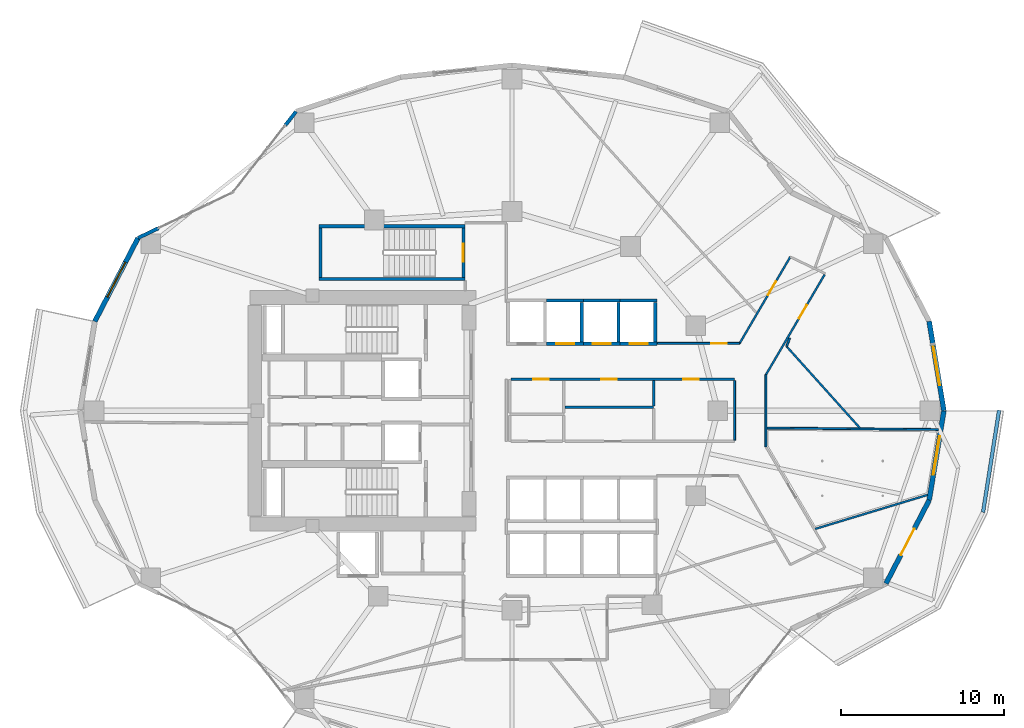
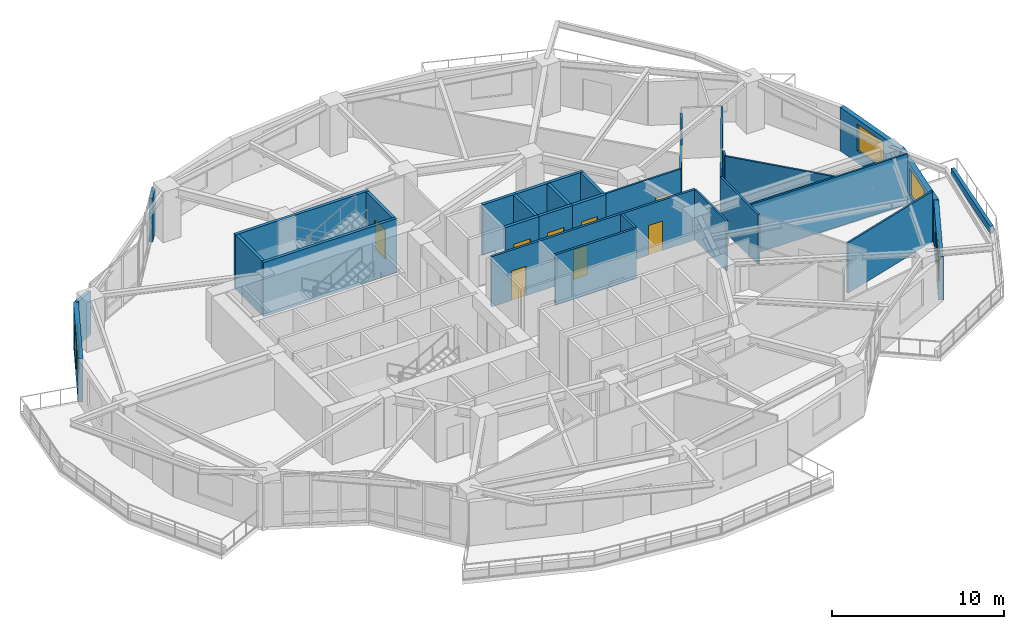
# One storey, part 11 of 18: 32 walls, 11 doors, 3 windows, 14 openings.
"""IFC4 building model written with IfcOpenShell, lengths in metres."""

from ifc_helpers import new_model, si_unit, direction, frame, frame_2d, origin, place, context, subcontext, project, spatial, rectangle, extrude, material, layer, layer_set, type_object, element, fill, save


model = new_model("IFC4")

# Units and contexts
model_context = context("Model", 3, precision=1e-05, world=origin(), true_north=direction((0.0, 1.0)))
body_context = subcontext(model_context, "Body", "Model", "MODEL_VIEW")
ifc_project = project(units=[si_unit("LENGTHUNIT", "METRE"), si_unit("AREAUNIT", "SQUARE_METRE"), si_unit("VOLUMEUNIT", "CUBIC_METRE"), si_unit("PLANEANGLEUNIT", "RADIAN"), si_unit("MASSUNIT", "GRAM", prefix="KILO")], contexts=[model_context])

# Site, building, storey
site_placement = place(None, origin())
site = spatial("IfcSite", under=ifc_project, at=site_placement, CompositionType="ELEMENT")
building_placement = place(site_placement, origin())
building = spatial("IfcBuilding", under=site, at=building_placement, Name="Kolvaren Gate Tower and Convention Centre", CompositionType="ELEMENT")
storey_placement = place(building_placement, frame((0.0, 0.0, 53.449951171875)))
storey = spatial("IfcBuildingStorey", under=building, at=storey_placement, Name="L12", CompositionType="ELEMENT", Elevation=53.449951171875)

# Wall, opening, door
ifc_material_1 = material(Name="Fire-Rated Acoustic Gypsum Stud Partition", Category="gypsum")
ifc_layer_1 = layer(ifc_material_1, 0.1201171875)
ifc_layer_set_1 = layer_set([ifc_layer_1], Name="Fire-Rated Acoustic Gypsum Stud Partition")
wall_type_1 = type_object("IfcWallType", Name="ARCH-WL-PART-120", PredefinedType="PARTITIONING", material=ifc_layer_set_1)
wall_1_placement = place(storey_placement, frame((39.02001953125, 31.1201171875, 0.0), z_axis=(0.0, 0.0, 1.0), x_axis=(1.0, 0.0, 0.0)))
wall_1 = element("IfcWall", 1, at=wall_1_placement, inside=storey, type_object=wall_type_1, Name="Interior Partition WL-L12-INT-031", PredefinedType="PARTITIONING", context=body_context, shape_type="SweptSolid", body=[
    extrude(rectangle(XDim=5.035888671875, YDim=0.1201171875, at=frame_2d((2.51806640625, 0.0))), origin(), (0.0, 0.0, 1.0), 3.570068359375),
])
opening_1_placement = place(wall_1_placement, frame((3.302978515625, 0.0, 0.0)))
opening_1 = element("IfcOpeningElement", 2, at=opening_1_placement, cuts=wall_1, Name="Opening DR-01", PredefinedType="OPENING", context=body_context, shape_type="SweptSolid", body=[
    extrude(rectangle(XDim=0.949951171875, YDim=2.10009765625, at=frame_2d((0.47509765625, 1.050048828125))), frame((0.0, 0.070068359375, 0.0), z_axis=(0.0, -1.0, 0.0), x_axis=(1.0, 0.0, 0.0)), (0.0, 0.0, 1.0), 0.14013671875),
])
ifc_material_2 = material(Name="Painted Architectural Steelwork ASTM A500 Grade C 345 MPa", Category="steel")
door_type_1 = type_object("IfcDoorType", Name="ARCH-DR-RISER-950", OperationType="SINGLE_SWING_RIGHT", PredefinedType="DOOR", material=ifc_material_2)
door_1_placement = place(opening_1_placement, origin())
door_1 = element("IfcDoor", 3, at=door_1_placement, inside=storey, type_object=door_type_1, Name="Design Flagship Showroom Door", OperationType="SINGLE_SWING_RIGHT", OverallHeight=2.10009765625, OverallWidth=0.949951171875, PredefinedType="DOOR", context=body_context, shape_type="SweptSolid", body=[
    extrude(rectangle(XDim=0.949951171875, YDim=2.10009765625, at=frame_2d((0.47509765625, 1.050048828125))), frame((0.0, 0.02490234375, 0.0), z_axis=(0.0, -1.0, 0.0), x_axis=(1.0, 0.0, 0.0)), (0.0, 0.0, 1.0), 0.050048828125),
])
fill(opening_1, door_1)

wall_2_placement = place(storey_placement, frame((44.055908203125, 31.1201171875, 0.0), z_axis=(0.0, 0.0, 1.0), x_axis=(0.505570543943, 0.86278527172, 0.0)))
wall_2 = element("IfcWall", 4, at=wall_2_placement, inside=storey, type_object=wall_type_1, Name="Interior Partition WL-L12-INT-032", PredefinedType="PARTITIONING", context=body_context, shape_type="SweptSolid", body=[
    extrude(rectangle(XDim=6.1416015625, YDim=0.1201171875, at=frame_2d((3.07080078125, 0.0))), origin(), (0.0, 0.0, 1.0), 3.205078125),
])
opening_2_placement = place(wall_2_placement, frame((3.444091796875, 0.0, 0.0)))
opening_2 = element("IfcOpeningElement", 5, at=opening_2_placement, cuts=wall_2, Name="Opening DR-01", PredefinedType="OPENING", context=body_context, shape_type="SweptSolid", body=[
    extrude(rectangle(XDim=0.949951171875, YDim=2.10009765625, at=frame_2d((0.47509765625, 1.050048828125))), frame((0.0, 0.070068359375, 0.0), z_axis=(0.0, -1.0, 0.0), x_axis=(1.0, 0.0, 0.0)), (0.0, 0.0, 1.0), 0.14013671875),
])
door_2_placement = place(opening_2_placement, origin())
door_2 = element("IfcDoor", 6, at=door_2_placement, inside=storey, type_object=door_type_1, Name="Hospitality Tasting Bistro Door", OperationType="SINGLE_SWING_LEFT", OverallHeight=2.10009765625, OverallWidth=0.949951171875, PredefinedType="DOOR", context=body_context, shape_type="SweptSolid", body=[
    extrude(rectangle(XDim=0.949951171875, YDim=2.10009765625, at=frame_2d((0.47509765625, 1.050048828125))), frame((0.0, 0.02490234375, 0.0), z_axis=(0.0, -1.0, 0.0), x_axis=(1.0, 0.0, 0.0)), (0.0, 0.0, 1.0), 0.050048828125),
])
fill(opening_2, door_2)

wall_3_placement = place(storey_placement, frame((45.669921875, 29.20703125, 0.0), z_axis=(0.0, 0.0, 1.0), x_axis=(0.505582857323, 0.86277805627, 0.0)))
wall_3 = element("IfcWall", 7, at=wall_3_placement, inside=storey, type_object=wall_type_1, Name="Interior Partition WL-L12-INT-034", PredefinedType="PARTITIONING", context=body_context, shape_type="SweptSolid", body=[
    extrude(rectangle(XDim=7.107666015625, YDim=0.1201171875, at=frame_2d((3.5537109375, 0.0))), origin(), (0.0, 0.0, 1.0), 3.570068359375),
])
opening_3_placement = place(wall_3_placement, frame((4.00048828125, 0.0, 0.0)))
opening_3 = element("IfcOpeningElement", 8, at=opening_3_placement, cuts=wall_3, Name="Opening DR-01", PredefinedType="OPENING", context=body_context, shape_type="SweptSolid", body=[
    extrude(rectangle(XDim=0.949951171875, YDim=2.10009765625, at=frame_2d((0.47509765625, 1.050048828125))), frame((0.0, 0.070068359375, 0.0), z_axis=(0.0, -1.0, 0.0), x_axis=(1.0, 0.0, 0.0)), (0.0, 0.0, 1.0), 0.14013671875),
])
door_3_placement = place(opening_3_placement, origin())
door_3 = element("IfcDoor", 9, at=door_3_placement, inside=storey, type_object=door_type_1, Name="Design Flagship Showroom Door", OperationType="SINGLE_SWING_RIGHT", OverallHeight=2.10009765625, OverallWidth=0.949951171875, PredefinedType="DOOR", context=body_context, shape_type="SweptSolid", body=[
    extrude(rectangle(XDim=0.949951171875, YDim=2.10009765625, at=frame_2d((0.47509765625, 1.050048828125))), frame((0.0, 0.02490234375, 0.0), z_axis=(0.0, -1.0, 0.0), x_axis=(1.0, 0.0, 0.0)), (0.0, 0.0, 1.0), 0.050048828125),
])
fill(opening_3, door_3)

# Walls
wall_4_placement = place(storey_placement, frame((45.669921875, 24.79296875, 0.0), z_axis=(0.0, 0.0, 1.0), x_axis=(0.0, 1.0, 0.0)))
element("IfcWall", 10, at=wall_4_placement, inside=storey, type_object=wall_type_1, Name="Interior Partition WL-L12-INT-035", PredefinedType="PARTITIONING", context=body_context, shape_type="SweptSolid", body=[
    extrude(rectangle(XDim=4.4140625, YDim=0.1201171875, at=frame_2d((2.20703125, 0.0))), origin(), (0.0, 0.0, 1.0), 3.570068359375),
])
wall_5_placement = place(storey_placement, frame((43.75, 25.197021484375, 0.0), z_axis=(0.0, 0.0, 1.0), x_axis=(0.0, 1.0, 0.0)))
element("IfcWall", 11, at=wall_5_placement, inside=storey, type_object=wall_type_1, Name="Interior Partition WL-L12-INT-041", PredefinedType="PARTITIONING", context=body_context, shape_type="SweptSolid", body=[
    extrude(rectangle(XDim=3.64599609375, YDim=0.1201171875, at=frame_2d((1.822998046875, 0.0))), origin(), (0.0, 0.0, 1.0), 3.570068359375),
])
wall_6_placement = place(storey_placement, frame((45.73193359375, 25.943115234375, 0.0), z_axis=(0.0, 0.0, 1.0), x_axis=(0.999960667943, -0.008869192068, 0.0)))
element("IfcWall", 12, at=wall_6_placement, inside=storey, type_object=wall_type_1, Name="Interior Partition WL-L12-INT-046", PredefinedType="PARTITIONING", context=body_context, shape_type="SweptSolid", body=[
    extrude(rectangle(XDim=10.48779296875, YDim=0.1201171875, at=frame_2d((5.243896484375, 0.0))), origin(), (0.0, 0.0, 1.0), 3.570068359375),
])
wall_7_placement = place(storey_placement, frame((48.68701171875, 19.76708984375, 0.0), z_axis=(0.0, 0.0, 1.0), x_axis=(0.957123563014, 0.28967997018, 0.0)))
element("IfcWall", 13, at=wall_7_placement, inside=storey, type_object=wall_type_1, Name="Interior Partition WL-L12-INT-049", PredefinedType="PARTITIONING", context=body_context, shape_type="SweptSolid", body=[
    extrude(rectangle(XDim=7.181396484375, YDim=0.1201171875, at=frame_2d((3.5908203125, 0.0))), origin(), (0.0, 0.0, 1.0), 3.570068359375),
])
wall_8_placement = place(storey_placement, frame((46.93896484375, 30.93310546875, 0.0), z_axis=(0.0, 0.0, 1.0), x_axis=(0.668545536635, -0.743671207891, 0.0)))
element("IfcWall", 14, at=wall_8_placement, inside=storey, type_object=wall_type_1, Name="Interior Partition WL-L12-INT-054", PredefinedType="PARTITIONING", context=body_context, shape_type="SweptSolid", body=[
    extrude(rectangle(XDim=6.694580078125, YDim=0.1201171875, at=frame_2d((3.34716796875, 0.0))), origin(), (0.0, 0.0, 1.0), 3.570068359375),
])
wall_9_placement = place(storey_placement, frame((46.93896484375, 30.93310546875, 0.0), z_axis=(0.0, 0.0, 1.0), x_axis=(0.338322740583, 0.941030139371, 0.0)))
element("IfcWall", 15, at=wall_9_placement, inside=storey, type_object=wall_type_1, Name="Interior Partition WL-L12-INT-055", PredefinedType="PARTITIONING", context=body_context, shape_type="SweptSolid", body=[
    extrude(rectangle(XDim=0.544921875, YDim=0.1201171875, at=frame_2d((0.2724609375, 0.0))), origin(), (0.0, 0.0, 1.0), 3.570068359375),
])
ifc_material_3 = material(Name="Bogota Sabana Bush-Hammered Sandstone Cladding", Category="masonry")
ifc_layer_2 = layer(ifc_material_3, 0.219970703125)
ifc_layer_set_2 = layer_set([ifc_layer_2], Name="Bogota Sabana Bush-Hammered Sandstone Cladding")
wall_type_2 = type_object("IfcWallType", Name="ARCH-WL-PIER-220", PredefinedType="SOLIDWALL", material=ifc_layer_set_2)
wall_10_placement = place(storey_placement, frame((16.24267578125, 44.46875, 0.0), z_axis=(0.0, 0.0, 1.0), x_axis=(0.616418327775, 0.787418849903, 0.0)))
element("IfcWall", 16, at=wall_10_placement, inside=storey, type_object=wall_type_2, Name="Tower L12 Unitised Curtain Wall CW-OFF-UNIT Bay 08 Right Column Pier Wrap", PredefinedType="SOLIDWALL", context=body_context, shape_type="SweptSolid", body=[
    extrude(rectangle(XDim=1.076416015625, YDim=0.219970703125, at=frame_2d((0.5380859375, 0.0))), origin(), (0.0, 0.0, 1.0), 3.093017578125),
])
wall_11_placement = place(storey_placement, frame((7.2294921875, 37.574951171875, 0.0), z_axis=(0.0, 0.0, 1.0), x_axis=(0.90135196348, 0.433087332914, 0.0)))
element("IfcWall", 17, at=wall_11_placement, inside=storey, type_object=wall_type_2, Name="Tower L12 Unitised Curtain Wall CW-OFF-UNIT Bay 09 Left Column Pier Wrap", PredefinedType="SOLIDWALL", context=body_context, shape_type="SweptSolid", body=[
    extrude(rectangle(XDim=1.381103515625, YDim=0.219970703125, at=frame_2d((0.6904296875, 0.0))), origin(), (0.0, 0.0, 1.0), 3.093017578125),
])
ifc_material_4 = material(Name="Piedmont Cream Honed Limestone Cladding", Category="masonry")
ifc_layer_3 = layer(ifc_material_4, 0.219970703125)
ifc_layer_set_3 = layer_set([ifc_layer_3], Name="Piedmont Cream Honed Limestone Cladding")
wall_type_3 = type_object("IfcWallType", Name="ARCH-WL-PLANTER-220", PredefinedType="PARAPET", material=ifc_layer_set_3)
wall_12_placement = place(storey_placement, frame((58.9619140625, 20.7880859375, 0.0), z_axis=(0.0, 0.0, 1.0), x_axis=(0.15545655238, 0.987842730561, 0.0)))
element("IfcWall", 18, at=wall_12_placement, inside=storey, type_object=wall_type_3, Name="Vertical-Forest Balcony Stone Planter Kerb PK-L12-4.3", PredefinedType="PARAPET", context=body_context, shape_type="SweptSolid", body=[
    extrude(rectangle(XDim=6.318115234375, YDim=0.219970703125, at=frame_2d((3.1591796875, 0.0))), origin(), (0.0, 0.0, 1.0), 0.52001953125),
])
ifc_material_5 = material(Name="Autoclaved Aerated Masonry Blockwork Class 4 (4.0 MPa)", Category="masonry")
ifc_layer_4 = layer(ifc_material_5, 0.199951171875)
ifc_layer_set_4 = layer_set([ifc_layer_4], Name="Autoclaved Aerated Masonry Blockwork Class 4 (4.0 MPa)")
wall_type_4 = type_object("IfcWallType", Name="ARCH-WL-SHAFT-200", PredefinedType="SOLIDWALL", material=ifc_layer_set_4)
wall_13_placement = place(storey_placement, frame((32.25, 33.75, 0.0), z_axis=(0.0, 0.0, 1.0), x_axis=(1.0, 0.0, 0.0)))
element("IfcWall", 19, at=wall_13_placement, inside=storey, type_object=wall_type_4, Name="Elevator PL-02 L12 Fire Shaft Wall N", PredefinedType="SOLIDWALL", context=body_context, shape_type="SweptSolid", body=[
    extrude(rectangle(XDim=2.25, YDim=0.199951171875, at=frame_2d((1.125, 0.0))), origin(), (0.0, 0.0, 1.0), 3.570068359375),
])

# Wall, opening, door
wall_14_placement = place(storey_placement, frame((32.25, 31.10009765625, 0.0), z_axis=(0.0, 0.0, 1.0), x_axis=(1.0, 0.0, 0.0)))
wall_14 = element("IfcWall", 20, at=wall_14_placement, inside=storey, type_object=wall_type_4, Name="Elevator PL-02 L12 Fire Shaft Wall S", PredefinedType="SOLIDWALL", context=body_context, shape_type="SweptSolid", body=[
    extrude(rectangle(XDim=2.25, YDim=0.199951171875, at=frame_2d((1.125, 0.0))), origin(), (0.0, 0.0, 1.0), 3.570068359375),
])
opening_4_placement = place(wall_14_placement, frame((0.574951171875, 0.0, 0.0)))
opening_4 = element("IfcOpeningElement", 21, at=opening_4_placement, cuts=wall_14, Name="Opening LD", PredefinedType="OPENING", context=body_context, shape_type="SweptSolid", body=[
    extrude(rectangle(XDim=1.10009765625, YDim=2.199951171875, at=frame_2d((0.550048828125, 1.10009765625))), frame((0.0, 0.10986328125, 0.0), z_axis=(0.0, -1.0, 0.0), x_axis=(1.0, 0.0, 0.0)), (0.0, 0.0, 1.0), 0.219970703125),
])
ifc_material_6 = material(Name="Brushed Stainless Steel Grade 316L", Category="steel")
door_type_2 = type_object("IfcDoorType", Name="ARCH-DR-LIFT-1100", OperationType="SLIDING_TO_LEFT", PredefinedType="DOOR", material=ifc_material_6)
door_4_placement = place(opening_4_placement, origin())
door_4 = element("IfcDoor", 22, at=door_4_placement, inside=storey, type_object=door_type_2, Name="Elevator PL-02 L12 Sliding Landing Door", OperationType="SLIDING_TO_LEFT", OverallHeight=2.199951171875, OverallWidth=1.10009765625, PredefinedType="DOOR", context=body_context, shape_type="SweptSolid", body=[
    extrude(rectangle(XDim=1.10009765625, YDim=2.199951171875, at=frame_2d((0.550048828125, 1.10009765625))), frame((0.0, 0.02490234375, 0.0), z_axis=(0.0, -1.0, 0.0), x_axis=(1.0, 0.0, 0.0)), (0.0, 0.0, 1.0), 0.050048828125),
])
fill(opening_4, door_4)

# Walls
wall_15_placement = place(storey_placement, frame((34.39990234375, 31.2099609375, 0.0), z_axis=(0.0, 0.0, 1.0), x_axis=(0.0, 1.0, 0.0)))
element("IfcWall", 23, at=wall_15_placement, inside=storey, type_object=wall_type_4, Name="Elevator PL-02 L12 Fire Shaft Wall E", PredefinedType="SOLIDWALL", context=body_context, shape_type="SweptSolid", body=[
    extrude(rectangle(XDim=2.429931640625, YDim=0.199951171875, at=frame_2d((1.21484375, 0.0))), origin(), (0.0, 0.0, 1.0), 3.570068359375),
])
wall_16_placement = place(storey_placement, frame((34.5, 33.75, 0.0), z_axis=(0.0, 0.0, 1.0), x_axis=(1.0, 0.0, 0.0)))
element("IfcWall", 24, at=wall_16_placement, inside=storey, type_object=wall_type_4, Name="Elevator PL-03 L12 Fire Shaft Wall N", PredefinedType="SOLIDWALL", context=body_context, shape_type="SweptSolid", body=[
    extrude(rectangle(XDim=2.25, YDim=0.199951171875, at=frame_2d((1.125, 0.0))), origin(), (0.0, 0.0, 1.0), 3.570068359375),
])

# Wall, opening, door
wall_17_placement = place(storey_placement, frame((34.5, 31.10009765625, 0.0), z_axis=(0.0, 0.0, 1.0), x_axis=(1.0, 0.0, 0.0)))
wall_17 = element("IfcWall", 25, at=wall_17_placement, inside=storey, type_object=wall_type_4, Name="Elevator PL-03 L12 Fire Shaft Wall S", PredefinedType="SOLIDWALL", context=body_context, shape_type="SweptSolid", body=[
    extrude(rectangle(XDim=2.25, YDim=0.199951171875, at=frame_2d((1.125, 0.0))), origin(), (0.0, 0.0, 1.0), 3.570068359375),
])
opening_5_placement = place(wall_17_placement, frame((0.574951171875, 0.0, 0.0)))
opening_5 = element("IfcOpeningElement", 26, at=opening_5_placement, cuts=wall_17, Name="Opening LD", PredefinedType="OPENING", context=body_context, shape_type="SweptSolid", body=[
    extrude(rectangle(XDim=1.10009765625, YDim=2.199951171875, at=frame_2d((0.550048828125, 1.10009765625))), frame((0.0, 0.10986328125, 0.0), z_axis=(0.0, -1.0, 0.0), x_axis=(1.0, 0.0, 0.0)), (0.0, 0.0, 1.0), 0.219970703125),
])
door_5_placement = place(opening_5_placement, origin())
door_5 = element("IfcDoor", 27, at=door_5_placement, inside=storey, type_object=door_type_2, Name="Elevator PL-03 L12 Sliding Landing Door", OperationType="SLIDING_TO_LEFT", OverallHeight=2.199951171875, OverallWidth=1.10009765625, PredefinedType="DOOR", context=body_context, shape_type="SweptSolid", body=[
    extrude(rectangle(XDim=1.10009765625, YDim=2.199951171875, at=frame_2d((0.550048828125, 1.10009765625))), frame((0.0, 0.02490234375, 0.0), z_axis=(0.0, -1.0, 0.0), x_axis=(1.0, 0.0, 0.0)), (0.0, 0.0, 1.0), 0.050048828125),
])
fill(opening_5, door_5)

# Walls
wall_18_placement = place(storey_placement, frame((36.64990234375, 31.2099609375, 0.0), z_axis=(0.0, 0.0, 1.0), x_axis=(0.0, 1.0, 0.0)))
element("IfcWall", 28, at=wall_18_placement, inside=storey, type_object=wall_type_4, Name="Elevator PL-03 L12 Fire Shaft Wall E", PredefinedType="SOLIDWALL", context=body_context, shape_type="SweptSolid", body=[
    extrude(rectangle(XDim=2.429931640625, YDim=0.199951171875, at=frame_2d((1.21484375, 0.0))), origin(), (0.0, 0.0, 1.0), 3.570068359375),
])
wall_19_placement = place(storey_placement, frame((36.75, 33.75, 0.0), z_axis=(0.0, 0.0, 1.0), x_axis=(1.0, 0.0, 0.0)))
element("IfcWall", 29, at=wall_19_placement, inside=storey, type_object=wall_type_4, Name="Elevator PL-04 L12 Fire Shaft Wall N", PredefinedType="SOLIDWALL", context=body_context, shape_type="SweptSolid", body=[
    extrude(rectangle(XDim=2.25, YDim=0.199951171875, at=frame_2d((1.125, 0.0))), origin(), (0.0, 0.0, 1.0), 3.570068359375),
])

# Wall, opening, door
wall_20_placement = place(storey_placement, frame((36.75, 31.10009765625, 0.0), z_axis=(0.0, 0.0, 1.0), x_axis=(1.0, 0.0, 0.0)))
wall_20 = element("IfcWall", 30, at=wall_20_placement, inside=storey, type_object=wall_type_4, Name="Elevator PL-04 L12 Fire Shaft Wall S", PredefinedType="SOLIDWALL", context=body_context, shape_type="SweptSolid", body=[
    extrude(rectangle(XDim=2.25, YDim=0.199951171875, at=frame_2d((1.125, 0.0))), origin(), (0.0, 0.0, 1.0), 3.570068359375),
])
opening_6_placement = place(wall_20_placement, frame((0.574951171875, 0.0, 0.0)))
opening_6 = element("IfcOpeningElement", 31, at=opening_6_placement, cuts=wall_20, Name="Opening LD", PredefinedType="OPENING", context=body_context, shape_type="SweptSolid", body=[
    extrude(rectangle(XDim=1.10009765625, YDim=2.199951171875, at=frame_2d((0.550048828125, 1.10009765625))), frame((0.0, 0.10986328125, 0.0), z_axis=(0.0, -1.0, 0.0), x_axis=(1.0, 0.0, 0.0)), (0.0, 0.0, 1.0), 0.219970703125),
])
door_6_placement = place(opening_6_placement, origin())
door_6 = element("IfcDoor", 32, at=door_6_placement, inside=storey, type_object=door_type_2, Name="Elevator PL-04 L12 Sliding Landing Door", OperationType="SLIDING_TO_LEFT", OverallHeight=2.199951171875, OverallWidth=1.10009765625, PredefinedType="DOOR", context=body_context, shape_type="SweptSolid", body=[
    extrude(rectangle(XDim=1.10009765625, YDim=2.199951171875, at=frame_2d((0.550048828125, 1.10009765625))), frame((0.0, 0.02490234375, 0.0), z_axis=(0.0, -1.0, 0.0), x_axis=(1.0, 0.0, 0.0)), (0.0, 0.0, 1.0), 0.050048828125),
])
fill(opening_6, door_6)

# Wall
wall_21_placement = place(storey_placement, frame((38.89990234375, 31.2099609375, 0.0), z_axis=(0.0, 0.0, 1.0), x_axis=(0.0, 1.0, 0.0)))
element("IfcWall", 33, at=wall_21_placement, inside=storey, type_object=wall_type_4, Name="Elevator PL-04 L12 Fire Shaft Wall E", PredefinedType="SOLIDWALL", context=body_context, shape_type="SweptSolid", body=[
    extrude(rectangle(XDim=2.429931640625, YDim=0.199951171875, at=frame_2d((1.21484375, 0.0))), origin(), (0.0, 0.0, 1.0), 3.570068359375),
])

# Wall, opening, window
ifc_layer_5 = layer(ifc_material_4, 0.300048828125)
ifc_layer_set_5 = layer_set([ifc_layer_5], Name="Piedmont Cream Honed Limestone Cladding")
wall_type_5 = type_object("IfcWallType", Name="ARCH-WL-STONE-300", PredefinedType="SOLIDWALL", material=ifc_layer_set_5)
wall_22_placement = place(storey_placement, frame((55.66162109375, 32.47412109375, 0.0), z_axis=(0.0, 0.0, 1.0), x_axis=(0.162386212206, -0.986727276447, 0.0)))
wall_22 = element("IfcWall", 34, at=wall_22_placement, inside=storey, type_object=wall_type_5, Name="Tower L12 Honed Stone Spandrel Wall EW-00", PredefinedType="SOLIDWALL", context=body_context, shape_type="SweptSolid", body=[
    extrude(rectangle(XDim=5.5478515625, YDim=0.300048828125, at=frame_2d((2.77392578125, 0.0))), origin(), (0.0, 0.0, 1.0), 3.093017578125),
])
opening_7_placement = place(wall_22_placement, frame((1.573974609375, 0.0, 0.85009765625)))
opening_7 = element("IfcOpeningElement", 35, at=opening_7_placement, cuts=wall_22, Name="Opening W-01", PredefinedType="OPENING", context=body_context, shape_type="SweptSolid", body=[
    extrude(rectangle(XDim=2.39990234375, YDim=1.89990234375, at=frame_2d((1.199951171875, 0.949951171875))), frame((0.0, 0.159912109375, 0.0), z_axis=(0.0, -1.0, 0.0), x_axis=(1.0, 0.0, 0.0)), (0.0, 0.0, 1.0), 0.320068359375),
])
ifc_material_7 = material(Name="Low-E Triple Insulated Glazing Unit 44 mm", Category="glass")
window_type = type_object("IfcWindowType", Name="ARCH-WN-OFF-2400", PartitioningType="SINGLE_PANEL", PredefinedType="WINDOW", material=ifc_material_7)
window_1_placement = place(opening_7_placement, origin())
window_1 = element("IfcWindow", 36, at=window_1_placement, inside=storey, type_object=window_type, Name="Tower L12 Punched Stone Facade Window W-00", OverallHeight=1.89990234375, OverallWidth=2.39990234375, PartitioningType="SINGLE_PANEL", PredefinedType="WINDOW", context=body_context, shape_type="SweptSolid", body=[
    extrude(rectangle(XDim=2.39990234375, YDim=1.89990234375, at=frame_2d((1.199951171875, 0.949951171875))), frame((0.0, 0.030029296875, 0.0), z_axis=(0.0, -1.0, 0.0), x_axis=(1.0, 0.0, 0.0)), (0.0, 0.0, 1.0), 0.06005859375),
])
fill(opening_7, window_1)

wall_23_placement = place(storey_placement, frame((4.58837890625, 32.47412109375, 0.0), z_axis=(0.0, 0.0, 1.0), x_axis=(0.459800981414, 0.888021991558, 0.0)))
wall_23 = element("IfcWall", 37, at=wall_23_placement, inside=storey, type_object=wall_type_5, Name="Tower L12 Honed Stone Spandrel Wall EW-10", PredefinedType="SOLIDWALL", context=body_context, shape_type="SweptSolid", body=[
    extrude(rectangle(XDim=5.744140625, YDim=0.300048828125, at=frame_2d((2.8720703125, 0.0))), origin(), (0.0, 0.0, 1.0), 3.093017578125),
])
opening_8_placement = place(wall_23_placement, frame((1.672119140625, 0.0, 0.85009765625)))
opening_8 = element("IfcOpeningElement", 38, at=opening_8_placement, cuts=wall_23, Name="Opening W-01", PredefinedType="OPENING", context=body_context, shape_type="SweptSolid", body=[
    extrude(rectangle(XDim=2.39990234375, YDim=1.89990234375, at=frame_2d((1.199951171875, 0.949951171875))), frame((0.0, 0.159912109375, 0.0), z_axis=(0.0, -1.0, 0.0), x_axis=(1.0, 0.0, 0.0)), (0.0, 0.0, 1.0), 0.320068359375),
])
window_2_placement = place(opening_8_placement, origin())
window_2 = element("IfcWindow", 39, at=window_2_placement, inside=storey, type_object=window_type, Name="Tower L12 Punched Stone Facade Window W-10", OverallHeight=1.89990234375, OverallWidth=2.39990234375, PartitioningType="SINGLE_PANEL", PredefinedType="WINDOW", context=body_context, shape_type="SweptSolid", body=[
    extrude(rectangle(XDim=2.39990234375, YDim=1.89990234375, at=frame_2d((1.199951171875, 0.949951171875))), frame((0.0, 0.030029296875, 0.0), z_axis=(0.0, -1.0, 0.0), x_axis=(1.0, 0.0, 0.0)), (0.0, 0.0, 1.0), 0.06005859375),
])
fill(opening_8, window_2)

# Wall, opening, door
wall_24_placement = place(storey_placement, frame((53.0205078125, 16.425048828125, 0.0), z_axis=(0.0, 0.0, 1.0), x_axis=(0.459800981414, 0.888021991558, 0.0)))
wall_24 = element("IfcWall", 40, at=wall_24_placement, inside=storey, type_object=wall_type_5, Name="Tower L12 Honed Stone Spandrel Wall EW-22", PredefinedType="SOLIDWALL", context=body_context, shape_type="SweptSolid", body=[
    extrude(rectangle(XDim=5.744140625, YDim=0.300048828125, at=frame_2d((2.8720703125, 0.0))), origin(), (0.0, 0.0, 1.0), 3.093017578125),
])
opening_9_placement = place(wall_24_placement, frame((1.971923828125, 0.0, 0.0)))
opening_9 = element("IfcOpeningElement", 41, at=opening_9_placement, cuts=wall_24, Name="Opening DB-01", PredefinedType="OPENING", context=body_context, shape_type="SweptSolid", body=[
    extrude(rectangle(XDim=1.800048828125, YDim=2.25, at=frame_2d((0.89990234375, 1.125))), frame((0.0, 0.159912109375, 0.0), z_axis=(0.0, -1.0, 0.0), x_axis=(1.0, 0.0, 0.0)), (0.0, 0.0, 1.0), 0.320068359375),
])
ifc_material_8 = material(Name="Anodized Architectural Aluminium Alloy 6063-T6", Category="aluminium")
door_type_3 = type_object("IfcDoorType", Name="ARCH-DR-BALC-1800", OperationType="SLIDING_TO_LEFT", PredefinedType="DOOR", material=ifc_material_8)
door_7_placement = place(opening_9_placement, frame((1.800048828125, 0.0, 0.0), z_axis=(0.0, 0.0, 1.0), x_axis=(-1.0, 0.0, 0.0)))
door_7 = element("IfcDoor", 42, at=door_7_placement, inside=storey, type_object=door_type_3, Name="Planted Sky Terrace Access Door DB-L12-22", OperationType="SLIDING_TO_LEFT", OverallHeight=2.25, OverallWidth=1.800048828125, PredefinedType="DOOR", context=body_context, shape_type="SweptSolid", body=[
    extrude(rectangle(XDim=1.800048828125, YDim=2.25, at=frame_2d((0.89990234375, 1.125))), frame((0.0, 0.02490234375, 0.0), z_axis=(0.0, -1.0, 0.0), x_axis=(1.0, 0.0, 0.0)), (0.0, 0.0, 1.0), 0.050048828125),
])
fill(opening_9, door_7)

# Wall, opening, window
wall_25_placement = place(storey_placement, frame((55.66162109375, 21.52587890625, 0.0), z_axis=(0.0, 0.0, 1.0), x_axis=(0.162386212206, 0.986727276447, 0.0)))
wall_25 = element("IfcWall", 43, at=wall_25_placement, inside=storey, type_object=wall_type_5, Name="Tower L12 Honed Stone Spandrel Wall EW-23", PredefinedType="SOLIDWALL", context=body_context, shape_type="SweptSolid", body=[
    extrude(rectangle(XDim=5.5478515625, YDim=0.300048828125, at=frame_2d((2.77392578125, 0.0))), origin(), (0.0, 0.0, 1.0), 3.093017578125),
])
opening_10_placement = place(wall_25_placement, frame((1.573974609375, 0.0, 0.85009765625)))
opening_10 = element("IfcOpeningElement", 44, at=opening_10_placement, cuts=wall_25, Name="Opening W-01", PredefinedType="OPENING", context=body_context, shape_type="SweptSolid", body=[
    extrude(rectangle(XDim=2.39990234375, YDim=1.89990234375, at=frame_2d((1.199951171875, 0.949951171875))), frame((0.0, 0.159912109375, 0.0), z_axis=(0.0, -1.0, 0.0), x_axis=(1.0, 0.0, 0.0)), (0.0, 0.0, 1.0), 0.320068359375),
])
window_3_placement = place(opening_10_placement, origin())
window_3 = element("IfcWindow", 45, at=window_3_placement, inside=storey, type_object=window_type, Name="Tower L12 Punched Stone Facade Window W-23", OverallHeight=1.89990234375, OverallWidth=2.39990234375, PartitioningType="SINGLE_PANEL", PredefinedType="WINDOW", context=body_context, shape_type="SweptSolid", body=[
    extrude(rectangle(XDim=2.39990234375, YDim=1.89990234375, at=frame_2d((1.199951171875, 0.949951171875))), frame((0.0, 0.030029296875, 0.0), z_axis=(0.0, -1.0, 0.0), x_axis=(1.0, 0.0, 0.0)), (0.0, 0.0, 1.0), 0.06005859375),
])
fill(opening_10, window_3)

# Wall, openings, doors
ifc_material_9 = material(Name="Moisture-Resistant Cement-Board Acoustic Partition", Category="gypsum")
ifc_layer_6 = layer(ifc_material_9, 0.14990234375)
ifc_layer_set_6 = layer_set([ifc_layer_6], Name="Moisture-Resistant Cement-Board Acoustic Partition")
wall_type_6 = type_object("IfcWallType", Name="ARCH-WL-WET-150", PredefinedType="PARTITIONING", material=ifc_layer_set_6)
wall_26_placement = place(storey_placement, frame((30.076904296875, 28.919921875, 0.0), z_axis=(0.0, 0.0, 1.0), x_axis=(1.0, 0.0, 0.0)))
wall_26 = element("IfcWall", 46, at=wall_26_placement, inside=storey, type_object=wall_type_6, Name="Interior Partition WL-L12-INT-017", PredefinedType="PARTITIONING", context=body_context, shape_type="SweptSolid", body=[
    extrude(rectangle(XDim=13.673095703125, YDim=0.14990234375, at=frame_2d((6.83642578125, 0.0))), origin(), (0.0, 0.0, 1.0), 3.570068359375),
])
opening_11_placement = place(wall_26_placement, frame((1.341552734375, 0.0, 0.0)))
opening_11 = element("IfcOpeningElement", 47, at=opening_11_placement, cuts=wall_26, Name="Opening DR-01", PredefinedType="OPENING", context=body_context, shape_type="SweptSolid", body=[
    extrude(rectangle(XDim=0.949951171875, YDim=2.10009765625, at=frame_2d((0.47509765625, 1.050048828125))), frame((0.0, 0.0849609375, 0.0), z_axis=(0.0, -1.0, 0.0), x_axis=(1.0, 0.0, 0.0)), (0.0, 0.0, 1.0), 0.169921875),
])
opening_12_placement = place(wall_26_placement, frame((5.498046875, 0.0, 0.0)))
opening_12 = element("IfcOpeningElement", 48, at=opening_12_placement, cuts=wall_26, Name="Opening DR-01", PredefinedType="OPENING", context=body_context, shape_type="SweptSolid", body=[
    extrude(rectangle(XDim=0.949951171875, YDim=2.10009765625, at=frame_2d((0.47509765625, 1.050048828125))), frame((0.0, 0.0849609375, 0.0), z_axis=(0.0, -1.0, 0.0), x_axis=(1.0, 0.0, 0.0)), (0.0, 0.0, 1.0), 0.169921875),
])
opening_13_placement = place(wall_26_placement, frame((10.51806640625, 0.0, 0.0)))
opening_13 = element("IfcOpeningElement", 49, at=opening_13_placement, cuts=wall_26, Name="Opening DR-01", PredefinedType="OPENING", context=body_context, shape_type="SweptSolid", body=[
    extrude(rectangle(XDim=0.949951171875, YDim=2.10009765625, at=frame_2d((0.47509765625, 1.050048828125))), frame((0.0, 0.0849609375, 0.0), z_axis=(0.0, -1.0, 0.0), x_axis=(1.0, 0.0, 0.0)), (0.0, 0.0, 1.0), 0.169921875),
])
door_8_placement = place(opening_11_placement, origin())
door_8 = element("IfcDoor", 50, at=door_8_placement, inside=storey, type_object=door_type_1, Name="Accessible North Washroom Door", OperationType="SINGLE_SWING_LEFT", OverallHeight=2.10009765625, OverallWidth=0.949951171875, PredefinedType="DOOR", context=body_context, shape_type="SweptSolid", body=[
    extrude(rectangle(XDim=0.949951171875, YDim=2.10009765625, at=frame_2d((0.47509765625, 1.050048828125))), frame((0.0, 0.02490234375, 0.0), z_axis=(0.0, -1.0, 0.0), x_axis=(1.0, 0.0, 0.0)), (0.0, 0.0, 1.0), 0.050048828125),
])
fill(opening_11, door_8)
door_9_placement = place(opening_12_placement, origin())
door_9 = element("IfcDoor", 51, at=door_9_placement, inside=storey, type_object=door_type_1, Name="Floor Janitor and Supply Store Door", OperationType="SINGLE_SWING_LEFT", OverallHeight=2.10009765625, OverallWidth=0.949951171875, PredefinedType="DOOR", context=body_context, shape_type="SweptSolid", body=[
    extrude(rectangle(XDim=0.949951171875, YDim=2.10009765625, at=frame_2d((0.47509765625, 1.050048828125))), frame((0.0, 0.02490234375, 0.0), z_axis=(0.0, -1.0, 0.0), x_axis=(1.0, 0.0, 0.0)), (0.0, 0.0, 1.0), 0.050048828125),
])
fill(opening_12, door_9)
door_10_placement = place(opening_13_placement, origin())
door_10 = element("IfcDoor", 52, at=door_10_placement, inside=storey, type_object=door_type_1, Name="Bookshop Retail Kiosk Door", OperationType="SINGLE_SWING_LEFT", OverallHeight=2.10009765625, OverallWidth=0.949951171875, PredefinedType="DOOR", context=body_context, shape_type="SweptSolid", body=[
    extrude(rectangle(XDim=0.949951171875, YDim=2.10009765625, at=frame_2d((0.47509765625, 1.050048828125))), frame((0.0, 0.02490234375, 0.0), z_axis=(0.0, -1.0, 0.0), x_axis=(1.0, 0.0, 0.0)), (0.0, 0.0, 1.0), 0.050048828125),
])
fill(opening_13, door_10)

# Walls
wall_27_placement = place(storey_placement, frame((33.376953125, 27.219970703125, 0.0), z_axis=(0.0, 0.0, 1.0), x_axis=(1.0, 0.0, 0.0)))
element("IfcWall", 53, at=wall_27_placement, inside=storey, type_object=wall_type_6, Name="Interior Partition WL-L12-INT-020", PredefinedType="PARTITIONING", context=body_context, shape_type="SweptSolid", body=[
    extrude(rectangle(XDim=5.423095703125, YDim=0.14990234375, at=frame_2d((2.71142578125, 0.0))), origin(), (0.0, 0.0, 1.0), 3.570068359375),
])
wall_28_placement = place(storey_placement, frame((38.800048828125, 27.297119140625, 0.0), z_axis=(0.0, 0.0, 1.0), x_axis=(0.0, 1.0, 0.0)))
element("IfcWall", 54, at=wall_28_placement, inside=storey, type_object=wall_type_6, Name="Interior Partition WL-L12-INT-021 (2)", PredefinedType="PARTITIONING", context=body_context, shape_type="SweptSolid", body=[
    extrude(rectangle(XDim=1.5458984375, YDim=0.14990234375, at=frame_2d((0.77294921875, 0.0))), origin(), (0.0, 0.0, 1.0), 3.570068359375),
])

# Wall, opening, door
ifc_material_10 = material(Name="Concrete C50/60", Category="concrete")
ifc_layer_7 = layer(ifc_material_10, 0.199951171875)
ifc_layer_set_7 = layer_set([ifc_layer_7], Name="Concrete C50/60")
wall_type_7 = type_object("IfcWallType", Name="STR-WL-SHAFT-200", PredefinedType="SHEAR", material=ifc_layer_set_7)
wall_29_placement = place(storey_placement, frame((27.14990234375, 35.159912109375, -0.280029296875), z_axis=(0.0, 0.0, 1.0), x_axis=(0.0, 1.0, 0.0)))
wall_29 = element("IfcWall", 55, at=wall_29_placement, inside=storey, type_object=wall_type_7, Name="Tower Mid-Zone Exit Stair ST-T3 L12 Structural Shear Enclosure Wall NEAR", PredefinedType="SHEAR", context=body_context, shape_type="SweptSolid", body=[
    extrude(rectangle(XDim=3.0400390625, YDim=0.199951171875, at=frame_2d((1.52001953125, 0.0))), origin(), (0.0, 0.0, 1.0), 3.85009765625),
])
opening_14_placement = place(wall_29_placement, frame((0.969970703125, 0.0, 0.280029296875)))
opening_14 = element("IfcOpeningElement", 56, at=opening_14_placement, cuts=wall_29, Name="Opening DS-01", PredefinedType="OPENING", context=body_context, shape_type="SweptSolid", body=[
    extrude(rectangle(XDim=1.10009765625, YDim=2.14990234375, at=frame_2d((0.550048828125, 1.074951171875))), frame((0.0, 0.10986328125, 0.0), z_axis=(0.0, -1.0, 0.0), x_axis=(1.0, 0.0, 0.0)), (0.0, 0.0, 1.0), 0.219970703125),
])
door_type_4 = type_object("IfcDoorType", Name="ARCH-DR-STAIR-1100", OperationType="SINGLE_SWING_LEFT", PredefinedType="DOOR", material=ifc_material_2)
door_11_placement = place(opening_14_placement, origin())
door_11 = element("IfcDoor", 57, at=door_11_placement, inside=storey, type_object=door_type_4, Name="Tower Mid-Zone Exit Stair ST-T3 L12 Fire Exit Stair Door", OperationType="SINGLE_SWING_RIGHT", OverallHeight=2.14990234375, OverallWidth=1.10009765625, PredefinedType="DOOR", context=body_context, shape_type="SweptSolid", body=[
    extrude(rectangle(XDim=1.10009765625, YDim=2.14990234375, at=frame_2d((0.550048828125, 1.074951171875))), frame((0.0, 0.02490234375, 0.0), z_axis=(0.0, -1.0, 0.0), x_axis=(1.0, 0.0, 0.0)), (0.0, 0.0, 1.0), 0.050048828125),
])
fill(opening_14, door_11)

# Walls
wall_30_placement = place(storey_placement, frame((18.39990234375, 35.159912109375, -0.280029296875), z_axis=(0.0, 0.0, 1.0), x_axis=(0.0, 1.0, 0.0)))
element("IfcWall", 58, at=wall_30_placement, inside=storey, type_object=wall_type_7, Name="Tower Mid-Zone Exit Stair ST-T3 L12 Structural Shear Enclosure Wall FAR", PredefinedType="SHEAR", context=body_context, shape_type="SweptSolid", body=[
    extrude(rectangle(XDim=3.0400390625, YDim=0.199951171875, at=frame_2d((1.52001953125, 0.0))), origin(), (0.0, 0.0, 1.0), 3.85009765625),
])
for number, where, z_axis, x_axis, name in (
    (59, (18.300048828125, 38.300048828125, -0.280029296875), (0.0, 0.0, 1.0), (1.0, 0.0, 0.0), "Tower Mid-Zone Exit Stair ST-T3 L12 Structural Shear Enclosure Wall LEFT"),
    (60, (18.300048828125, 35.06005859375, -0.280029296875), (0.0, 0.0, 1.0), (1.0, 0.0, 0.0), "Tower Mid-Zone Exit Stair ST-T3 L12 Structural Shear Enclosure Wall RGHT"),
):
    element("IfcWall", number, at=place(storey_placement, frame(where, z_axis=z_axis, x_axis=x_axis)), inside=storey, type_object=wall_type_7, Name=name, PredefinedType="SHEAR", context=body_context, shape_type="SweptSolid", body=[
        extrude(rectangle(XDim=8.949951171875, YDim=0.199951171875, at=frame_2d((4.47509765625, 0.0))), origin(), (0.0, 0.0, 1.0), 3.85009765625),
    ])

save(model, "model.ifc")
